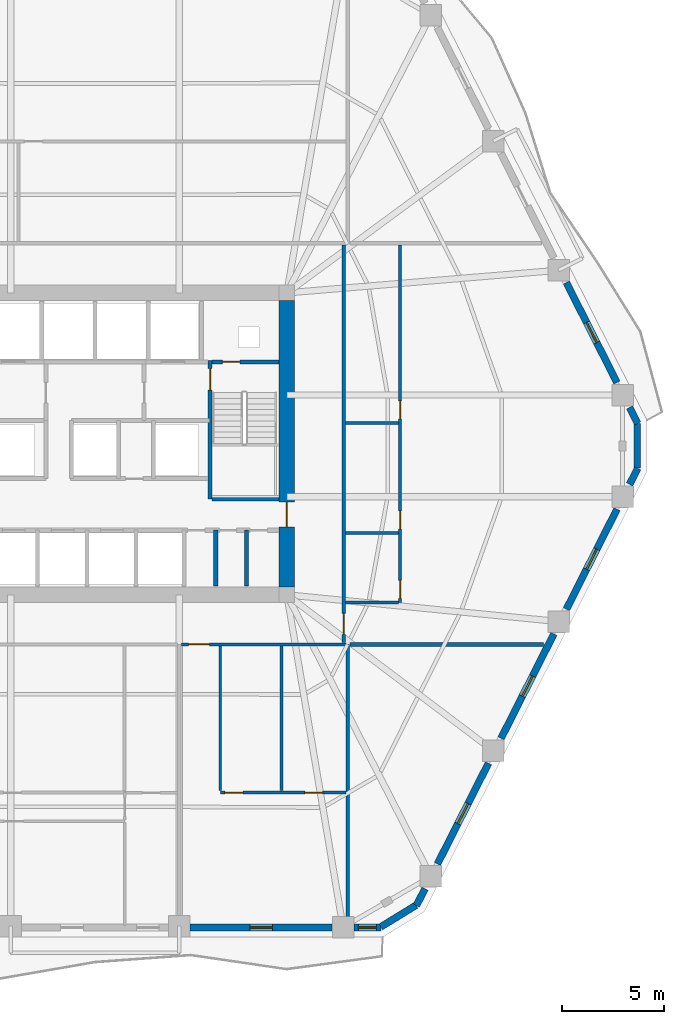
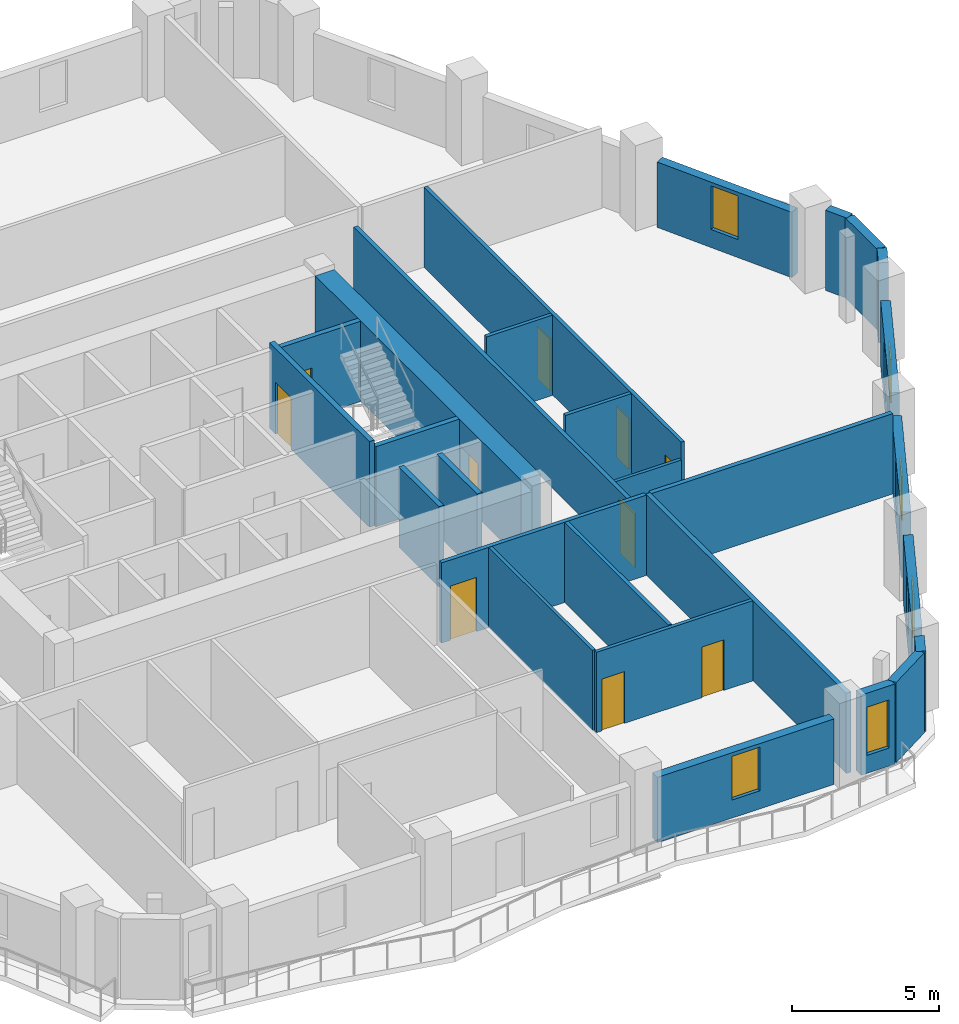
# One storey, part 6 of 11: 28 walls, 10 doors, 6 windows, 16 openings.
"""IFC4 building model written with IfcOpenShell, lengths in metres."""

from ifc_helpers import new_model, si_unit, direction, frame, frame_2d, origin, place, context, subcontext, project, spatial, rectangle, extrude, material, layer, layer_set, type_object, element, fill, save


model = new_model("IFC4")

# Units and contexts
model_context = context("Model", 3, precision=1e-05, world=origin(), true_north=direction((0.0, 1.0)))
body_context = subcontext(model_context, "Body", "Model", "MODEL_VIEW")
ifc_project = project(units=[si_unit("LENGTHUNIT", "METRE"), si_unit("AREAUNIT", "SQUARE_METRE"), si_unit("VOLUMEUNIT", "CUBIC_METRE"), si_unit("PLANEANGLEUNIT", "RADIAN"), si_unit("MASSUNIT", "GRAM", prefix="KILO")], contexts=[model_context])

# Site, building, storey
site_placement = place(None, origin())
site = spatial("IfcSite", under=ifc_project, at=site_placement, CompositionType="ELEMENT")
building_placement = place(site_placement, origin())
building = spatial("IfcBuilding", under=site, at=building_placement, Name="Cinnabar Lancet Tower", CompositionType="ELEMENT")
storey_placement = place(building_placement, frame((0.0, 0.0, 90.64990234375)))
storey = spatial("IfcBuildingStorey", under=building, at=storey_placement, Name="L23", CompositionType="ELEMENT", Elevation=90.64990234375)

# Wall, opening, door
ifc_material_1 = material(Name="Acoustic twin-stud gypsum partition", Category="gypsum")
ifc_layer_1 = layer(ifc_material_1, 0.159912109375)
ifc_layer_set_1 = layer_set([ifc_layer_1], Name="Acoustic twin-stud gypsum partition")
wall_type_1 = type_object("IfcWallType", Name="ARC-WL-CORR-160", PredefinedType="PARTITIONING", material=ifc_layer_set_1)
wall_1_placement = place(storey_placement, frame((36.616943359375, 16.10009765625, 0.0), z_axis=(0.0, 0.0, 1.0), x_axis=(1.0, 0.0, 0.0)))
wall_1 = element("IfcWall", 1, at=wall_1_placement, inside=storey, type_object=wall_type_1, Name="L23 Unit S02 Corridor Wall", PredefinedType="PARTITIONING", context=body_context, shape_type="SweptSolid", body=[
    extrude(rectangle(XDim=8.0380859375, YDim=0.159912109375, at=frame_2d((4.01904296875, 0.0))), origin(), (0.0, 0.0, 1.0), 3.330078125),
])
opening_1_placement = place(wall_1_placement, frame((0.35498046875, 0.0, 0.0)))
opening_1 = element("IfcOpeningElement", 2, at=opening_1_placement, cuts=wall_1, Name="Opening UD-01", PredefinedType="OPENING", context=body_context, shape_type="SweptSolid", body=[
    extrude(rectangle(XDim=1.02001953125, YDim=2.25, at=frame_2d((0.510009765625, 1.125))), frame((0.0, 0.08984375, 0.0), z_axis=(0.0, -1.0, 0.0), x_axis=(1.0, 0.0, 0.0)), (0.0, 0.0, 1.0), 0.179931640625),
])
ifc_material_2 = material(Name="Solid timber fire-rated apartment entrance door", Category="wood")
door_type_1 = type_object("IfcDoorType", Name="ARC-DR-UNIT", OperationType="NOTDEFINED", PredefinedType="DOOR", material=ifc_material_2)
door_1_placement = place(opening_1_placement, origin())
door_1 = element("IfcDoor", 3, at=door_1_placement, inside=storey, type_object=door_type_1, Name="DR-L23-S02-ENT", OperationType="SINGLE_SWING_RIGHT", OverallHeight=2.25, OverallWidth=1.02001953125, PredefinedType="DOOR", context=body_context, shape_type="SweptSolid", body=[
    extrude(rectangle(XDim=1.02001953125, YDim=2.25, at=frame_2d((0.510009765625, 1.125))), frame((0.0, 0.02490234375, 0.0), z_axis=(0.0, -1.0, 0.0), x_axis=(1.0, 0.0, 0.0)), (0.0, 0.0, 1.0), 0.050048828125),
])
fill(opening_1, door_1)

wall_2_placement = place(storey_placement, frame((44.550048828125, 16.195068359375, 0.0), z_axis=(0.0, 0.0, 1.0), x_axis=(0.0, 1.0, 0.0)))
wall_2 = element("IfcWall", 4, at=wall_2_placement, inside=storey, type_object=wall_type_1, Name="UW-L23-E01-COR", PredefinedType="PARTITIONING", context=body_context, shape_type="SweptSolid", body=[
    extrude(rectangle(XDim=19.409912109375, YDim=0.159912109375, at=frame_2d((9.705078125, 0.0))), origin(), (0.0, 0.0, 1.0), 2.63720703125),
])
opening_2_placement = place(wall_2_placement, frame((0.39990234375, 0.0, 0.0)))
opening_2 = element("IfcOpeningElement", 5, at=opening_2_placement, cuts=wall_2, Name="Opening UD-01", PredefinedType="OPENING", context=body_context, shape_type="SweptSolid", body=[
    extrude(rectangle(XDim=1.02001953125, YDim=2.25, at=frame_2d((0.510009765625, 1.125))), frame((0.0, 0.08984375, 0.0), z_axis=(0.0, -1.0, 0.0), x_axis=(1.0, 0.0, 0.0)), (0.0, 0.0, 1.0), 0.179931640625),
])
door_2_placement = place(opening_2_placement, origin())
door_2 = element("IfcDoor", 6, at=door_2_placement, inside=storey, type_object=door_type_1, Name="DR-L23-E01-ENT", OperationType="SINGLE_SWING_RIGHT", OverallHeight=2.25, OverallWidth=1.02001953125, PredefinedType="DOOR", context=body_context, shape_type="SweptSolid", body=[
    extrude(rectangle(XDim=1.02001953125, YDim=2.25, at=frame_2d((0.510009765625, 1.125))), frame((0.0, 0.02490234375, 0.0), z_axis=(0.0, -1.0, 0.0), x_axis=(1.0, 0.0, 0.0)), (0.0, 0.0, 1.0), 0.050048828125),
])
fill(opening_2, door_2)

# Walls
ifc_material_3 = material(Name="Fire-rated twin-frame acoustic drywall", Category="gypsum")
ifc_layer_2 = layer(ifc_material_3, 0.179931640625)
ifc_layer_set_2 = layer_set([ifc_layer_2], Name="Fire-rated twin-frame acoustic drywall")
wall_type_2 = type_object("IfcWallType", Name="ARC-WL-PARTY-180", PredefinedType="PARTITIONING", material=ifc_layer_set_2)
wall_3_placement = place(storey_placement, frame((44.75, 2.455078125, 0.0), z_axis=(0.0, 0.0, 1.0), x_axis=(0.0, 1.0, 0.0)))
element("IfcWall", 7, at=wall_3_placement, inside=storey, type_object=wall_type_2, Name="PW-L23-SPTY-448", PredefinedType="PARTITIONING", context=body_context, shape_type="SweptSolid", body=[
    extrude(rectangle(XDim=13.64501953125, YDim=0.179931640625, at=frame_2d((6.822509765625, 0.0))), origin(), (0.0, 0.0, 1.0), 3.330078125),
])
wall_4_placement = place(storey_placement, frame((44.844970703125, 16.10009765625, 0.0), z_axis=(0.0, 0.0, 1.0), x_axis=(1.0, 0.0, 0.0)))
element("IfcWall", 8, at=wall_4_placement, inside=storey, type_object=wall_type_2, Name="PW-L23-ESB", PredefinedType="PARTITIONING", context=body_context, shape_type="SweptSolid", body=[
    extrude(rectangle(XDim=9.467041015625, YDim=0.179931640625, at=frame_2d((4.7333984375, 0.0))), origin(), (0.0, 0.0, 1.0), 3.330078125),
])
ifc_material_4 = material(Name="Autoclaved aerated concrete blockwork", Category="masonry")
ifc_layer_3 = layer(ifc_material_4, 0.199951171875)
ifc_layer_set_3 = layer_set([ifc_layer_3], Name="Autoclaved aerated concrete blockwork")
wall_type_3 = type_object("IfcWallType", Name="ARC-WL-SHAFT-200", PredefinedType="PLUMBINGWALL", material=ifc_layer_set_3)
wall_5_placement = place(storey_placement, frame((38.125, 23.199951171875, 0.0), z_axis=(0.0, 0.0, 1.0), x_axis=(1.0, 0.0, 0.0)))
element("IfcWall", 9, at=wall_5_placement, inside=storey, type_object=wall_type_3, Name="CW-ST2S-L23", PredefinedType="PLUMBINGWALL", context=body_context, shape_type="SweptSolid", body=[
    extrude(rectangle(XDim=3.27001953125, YDim=0.199951171875, at=frame_2d((1.635009765625, 0.0))), origin(), (0.0, 0.0, 1.0), 3.330078125),
])

# Wall, opening, door
wall_6_placement = place(storey_placement, frame((38.125, 29.89990234375, 0.0), z_axis=(0.0, 0.0, 1.0), x_axis=(1.0, 0.0, 0.0)))
wall_6 = element("IfcWall", 10, at=wall_6_placement, inside=storey, type_object=wall_type_3, Name="CW-NSH-E-L23", PredefinedType="PLUMBINGWALL", context=body_context, shape_type="SweptSolid", body=[
    extrude(rectangle(XDim=3.27001953125, YDim=0.199951171875, at=frame_2d((1.635009765625, 0.0))), origin(), (0.0, 0.0, 1.0), 3.330078125),
])
opening_3_placement = place(wall_6_placement, frame((0.5, 0.0, 0.0)))
opening_3 = element("IfcOpeningElement", 11, at=opening_3_placement, cuts=wall_6, Name="Opening PD-02", PredefinedType="OPENING", context=body_context, shape_type="SweptSolid", body=[
    extrude(rectangle(XDim=0.85009765625, YDim=2.050048828125, at=frame_2d((0.425048828125, 1.02490234375))), frame((0.0, 0.10986328125, 0.0), z_axis=(0.0, -1.0, 0.0), x_axis=(1.0, 0.0, 0.0)), (0.0, 0.0, 1.0), 0.219970703125),
])
ifc_material_5 = material(Name="Fire-rated steel riser access door", Category="steel")
door_type_2 = type_object("IfcDoorType", Name="ARC-DR-RISER", OperationType="NOTDEFINED", PredefinedType="DOOR", material=ifc_material_5)
door_3_placement = place(opening_3_placement, origin())
door_3 = element("IfcDoor", 12, at=door_3_placement, inside=storey, type_object=door_type_2, Name="L23 East Riser Access Door", OperationType="SINGLE_SWING_RIGHT", OverallHeight=2.050048828125, OverallWidth=0.85009765625, PredefinedType="DOOR", context=body_context, shape_type="SweptSolid", body=[
    extrude(rectangle(XDim=0.85009765625, YDim=2.050048828125, at=frame_2d((0.425048828125, 1.02490234375))), frame((0.0, 0.02490234375, 0.0), z_axis=(0.0, -1.0, 0.0), x_axis=(1.0, 0.0, 0.0)), (0.0, 0.0, 1.0), 0.050048828125),
])
fill(opening_3, door_3)

# Walls
for number, where, z_axis, x_axis, name in (
    (13, (38.300048828125, 18.949951171875, 0.0), (0.0, 0.0, 1.0), (0.0, 1.0, 0.0), "CW-SBC2-383-L23"),
    (14, (39.800048828125, 18.949951171875, 0.0), (0.0, 0.0, 1.0), (0.0, 1.0, 0.0), "CW-SBC2-398-L23"),
):
    element("IfcWall", number, at=place(storey_placement, frame(where, z_axis=z_axis, x_axis=x_axis)), inside=storey, type_object=wall_type_3, Name=name, PredefinedType="PLUMBINGWALL", context=body_context, shape_type="SweptSolid", body=[
        extrude(rectangle(XDim=2.72998046875, YDim=0.199951171875, at=frame_2d((1.364990234375, 0.0))), origin(), (0.0, 0.0, 1.0), 3.330078125),
    ])
ifc_material_6 = material(Name="Gypsum plasterboard stud partition", Category="gypsum")
ifc_layer_4 = layer(ifc_material_6, 0.125)
ifc_layer_set_4 = layer_set([ifc_layer_4], Name="Gypsum plasterboard stud partition")
wall_type_4 = type_object("IfcWallType", Name="ARC-WL-UNIT-125", PredefinedType="PARTITIONING", material=ifc_layer_set_4)
wall_7_placement = place(storey_placement, frame((38.52197265625, 8.972900390625, 0.0), z_axis=(0.0, 0.0, 1.0), x_axis=(0.0, 1.0, 0.0)))
element("IfcWall", 15, at=wall_7_placement, inside=storey, type_object=wall_type_4, Name="UW-L23-S02-FOYE", PredefinedType="PARTITIONING", context=body_context, shape_type="SweptSolid", body=[
    extrude(rectangle(XDim=7.0419921875, YDim=0.125, at=frame_2d((3.52099609375, 0.0))), origin(), (0.0, 0.0, 1.0), 3.330078125),
])
wall_8_placement = place(storey_placement, frame((44.635009765625, 18.14990234375, 0.0), z_axis=(0.0, 0.0, 1.0), x_axis=(1.0, 0.0, 0.0)))
element("IfcWall", 16, at=wall_8_placement, inside=storey, type_object=wall_type_4, Name="UW-L23-E01-FOYN", PredefinedType="PARTITIONING", context=body_context, shape_type="SweptSolid", body=[
    extrude(rectangle(XDim=2.580078125, YDim=0.125, at=frame_2d((1.2900390625, 0.0))), origin(), (0.0, 0.0, 1.0), 2.63720703125),
])

# Wall, openings, doors
ifc_material_7 = material(Name="Moisture-resistant cement-board plumbing wall", Category="masonry")
ifc_layer_5 = layer(ifc_material_7, 0.139892578125)
ifc_layer_set_5 = layer_set([ifc_layer_5], Name="Moisture-resistant cement-board plumbing wall")
wall_type_5 = type_object("IfcWallType", Name="ARC-WL-WET-140", PredefinedType="PLUMBINGWALL", material=ifc_layer_set_5)
wall_9_placement = place(storey_placement, frame((38.52197265625, 8.867919921875, 0.0), z_axis=(0.0, 0.0, 1.0), x_axis=(1.0, 0.0, 0.0)))
wall_9 = element("IfcWall", 17, at=wall_9_placement, inside=storey, type_object=wall_type_5, Name="UW-L23-S02-SPL", PredefinedType="PLUMBINGWALL", context=body_context, shape_type="SweptSolid", body=[
    extrude(rectangle(XDim=6.133056640625, YDim=0.139892578125, at=frame_2d((3.06640625, 0.0))), origin(), (0.0, 0.0, 1.0), 3.330078125),
])
opening_4_placement = place(wall_9_placement, frame((4.135986328125, 0.0, 0.0)))
opening_4 = element("IfcOpeningElement", 18, at=opening_4_placement, cuts=wall_9, Name="Opening BD-01", PredefinedType="OPENING", context=body_context, shape_type="SweptSolid", body=[
    extrude(rectangle(XDim=0.860107421875, YDim=2.10009765625, at=frame_2d((0.43017578125, 1.050048828125))), frame((0.0, 0.079833984375, 0.0), z_axis=(0.0, -1.0, 0.0), x_axis=(1.0, 0.0, 0.0)), (0.0, 0.0, 1.0), 0.159912109375),
])
opening_5_placement = place(wall_9_placement, frame((0.219970703125, 0.0, 0.0)))
opening_5 = element("IfcOpeningElement", 19, at=opening_5_placement, cuts=wall_9, Name="Opening RD-02", PredefinedType="OPENING", context=body_context, shape_type="SweptSolid", body=[
    extrude(rectangle(XDim=0.8798828125, YDim=2.14990234375, at=frame_2d((0.43994140625, 1.074951171875))), frame((0.0, 0.079833984375, 0.0), z_axis=(0.0, -1.0, 0.0), x_axis=(1.0, 0.0, 0.0)), (0.0, 0.0, 1.0), 0.159912109375),
])
ifc_material_8 = material(Name="Moisture-resistant timber bathroom door", Category="wood")
door_type_3 = type_object("IfcDoorType", Name="ARC-DR-BATH", OperationType="NOTDEFINED", PredefinedType="DOOR", material=ifc_material_8)
door_4_placement = place(opening_4_placement, origin())
door_4 = element("IfcDoor", 20, at=door_4_placement, inside=storey, type_object=door_type_3, Name="DR-L23-S02-BTH", OperationType="SINGLE_SWING_RIGHT", OverallHeight=2.10009765625, OverallWidth=0.860107421875, PredefinedType="DOOR", context=body_context, shape_type="SweptSolid", body=[
    extrude(rectangle(XDim=0.860107421875, YDim=2.10009765625, at=frame_2d((0.43017578125, 1.050048828125))), frame((0.0, 0.02490234375, 0.0), z_axis=(0.0, -1.0, 0.0), x_axis=(1.0, 0.0, 0.0)), (0.0, 0.0, 1.0), 0.050048828125),
])
fill(opening_4, door_4)
ifc_material_9 = material(Name="Engineered timber study door", Category="wood")
door_type_4 = type_object("IfcDoorType", Name="ARC-DR-STUDY", OperationType="NOTDEFINED", PredefinedType="DOOR", material=ifc_material_9)
door_5_placement = place(opening_5_placement, origin())
door_5 = element("IfcDoor", 21, at=door_5_placement, inside=storey, type_object=door_type_4, Name="DR-L23-S02-KIT", OperationType="SINGLE_SWING_LEFT", OverallHeight=2.14990234375, OverallWidth=0.8798828125, PredefinedType="DOOR", context=body_context, shape_type="SweptSolid", body=[
    extrude(rectangle(XDim=0.8798828125, YDim=2.14990234375, at=frame_2d((0.43994140625, 1.074951171875))), frame((0.0, 0.02490234375, 0.0), z_axis=(0.0, -1.0, 0.0), x_axis=(1.0, 0.0, 0.0)), (0.0, 0.0, 1.0), 0.050048828125),
])
fill(opening_5, door_5)

# Wall
wall_10_placement = place(storey_placement, frame((41.510986328125, 8.972900390625, 0.0), z_axis=(0.0, 0.0, 1.0), x_axis=(0.0, 1.0, 0.0)))
element("IfcWall", 22, at=wall_10_placement, inside=storey, type_object=wall_type_5, Name="UW-L23-S02-KDV", PredefinedType="PLUMBINGWALL", context=body_context, shape_type="SweptSolid", body=[
    extrude(rectangle(XDim=7.0419921875, YDim=0.139892578125, at=frame_2d((3.52099609375, 0.0))), origin(), (0.0, 0.0, 1.0), 3.330078125),
])

# Wall, openings, doors
wall_11_placement = place(storey_placement, frame((47.300048828125, 18.14990234375, 0.0), z_axis=(0.0, 0.0, 1.0), x_axis=(0.0, 1.0, 0.0)))
wall_11 = element("IfcWall", 23, at=wall_11_placement, inside=storey, type_object=wall_type_5, Name="UW-L23-E01-SPL", PredefinedType="PLUMBINGWALL", context=body_context, shape_type="SweptSolid", body=[
    extrude(rectangle(XDim=17.455078125, YDim=0.139892578125, at=frame_2d((8.7275390625, 0.0))), origin(), (0.0, 0.0, 1.0), 3.330078125),
])
opening_6_placement = place(wall_11_placement, frame((3.60009765625, 0.0, 0.0)))
opening_6 = element("IfcOpeningElement", 24, at=opening_6_placement, cuts=wall_11, Name="Opening BD-01", PredefinedType="OPENING", context=body_context, shape_type="SweptSolid", body=[
    extrude(rectangle(XDim=0.860107421875, YDim=2.10009765625, at=frame_2d((0.43017578125, 1.050048828125))), frame((0.0, 0.079833984375, 0.0), z_axis=(0.0, -1.0, 0.0), x_axis=(1.0, 0.0, 0.0)), (0.0, 0.0, 1.0), 0.159912109375),
])
opening_7_placement = place(wall_11_placement, frame((8.969970703125, 0.0, 0.0)))
opening_7 = element("IfcOpeningElement", 25, at=opening_7_placement, cuts=wall_11, Name="Opening RD-02", PredefinedType="OPENING", context=body_context, shape_type="SweptSolid", body=[
    extrude(rectangle(XDim=0.8798828125, YDim=2.14990234375, at=frame_2d((0.43994140625, 1.074951171875))), frame((0.0, 0.079833984375, 0.0), z_axis=(0.0, -1.0, 0.0), x_axis=(1.0, 0.0, 0.0)), (0.0, 0.0, 1.0), 0.159912109375),
])
opening_8_placement = place(wall_11_placement, frame((0.199951171875, 0.0, 0.0)))
opening_8 = element("IfcOpeningElement", 26, at=opening_8_placement, cuts=wall_11, Name="Opening RD-02", PredefinedType="OPENING", context=body_context, shape_type="SweptSolid", body=[
    extrude(rectangle(XDim=0.8798828125, YDim=2.14990234375, at=frame_2d((0.43994140625, 1.074951171875))), frame((0.0, 0.079833984375, 0.0), z_axis=(0.0, -1.0, 0.0), x_axis=(1.0, 0.0, 0.0)), (0.0, 0.0, 1.0), 0.159912109375),
])
door_6_placement = place(opening_6_placement, origin())
door_6 = element("IfcDoor", 27, at=door_6_placement, inside=storey, type_object=door_type_3, Name="DR-L23-E01-BTH", OperationType="SINGLE_SWING_RIGHT", OverallHeight=2.10009765625, OverallWidth=0.860107421875, PredefinedType="DOOR", context=body_context, shape_type="SweptSolid", body=[
    extrude(rectangle(XDim=0.860107421875, YDim=2.10009765625, at=frame_2d((0.43017578125, 1.050048828125))), frame((0.0, 0.02490234375, 0.0), z_axis=(0.0, -1.0, 0.0), x_axis=(1.0, 0.0, 0.0)), (0.0, 0.0, 1.0), 0.050048828125),
])
fill(opening_6, door_6)
door_7_placement = place(opening_7_placement, origin())
door_7 = element("IfcDoor", 28, at=door_7_placement, inside=storey, type_object=door_type_4, Name="DR-L23-E01-WDR", OperationType="SINGLE_SWING_LEFT", OverallHeight=2.14990234375, OverallWidth=0.8798828125, PredefinedType="DOOR", context=body_context, shape_type="SweptSolid", body=[
    extrude(rectangle(XDim=0.8798828125, YDim=2.14990234375, at=frame_2d((0.43994140625, 1.074951171875))), frame((0.0, 0.02490234375, 0.0), z_axis=(0.0, -1.0, 0.0), x_axis=(1.0, 0.0, 0.0)), (0.0, 0.0, 1.0), 0.050048828125),
])
fill(opening_7, door_7)
door_8_placement = place(opening_8_placement, origin())
door_8 = element("IfcDoor", 29, at=door_8_placement, inside=storey, type_object=door_type_4, Name="DR-L23-E01-KIT", OperationType="SINGLE_SWING_LEFT", OverallHeight=2.14990234375, OverallWidth=0.8798828125, PredefinedType="DOOR", context=body_context, shape_type="SweptSolid", body=[
    extrude(rectangle(XDim=0.8798828125, YDim=2.14990234375, at=frame_2d((0.43994140625, 1.074951171875))), frame((0.0, 0.02490234375, 0.0), z_axis=(0.0, -1.0, 0.0), x_axis=(1.0, 0.0, 0.0)), (0.0, 0.0, 1.0), 0.050048828125),
])
fill(opening_8, door_8)

# Walls
for number, where, z_axis, x_axis, name in (
    (30, (44.635009765625, 21.550048828125, 0.0), (0.0, 0.0, 1.0), (1.0, 0.0, 0.0), "UW-L23-E01-KDV"),
    (31, (44.635009765625, 26.919921875, 0.0), (0.0, 0.0, 1.0), (1.0, 0.0, 0.0), "UW-L23-E01-BWDV"),
):
    element("IfcWall", number, at=place(storey_placement, frame(where, z_axis=z_axis, x_axis=x_axis)), inside=storey, type_object=wall_type_5, Name=name, PredefinedType="PLUMBINGWALL", context=body_context, shape_type="SweptSolid", body=[
        extrude(rectangle(XDim=2.580078125, YDim=0.139892578125, at=frame_2d((1.2900390625, 0.0))), origin(), (0.0, 0.0, 1.0), 3.330078125),
    ])
ifc_material_10 = material(Name="Cinnabar red clay brick", Category="masonry")
ifc_layer_6 = layer(ifc_material_10, 0.340087890625)
ifc_layer_set_6 = layer_set([ifc_layer_6], Name="Cinnabar red clay brick")
wall_type_6 = type_object("IfcWallType", Name="ENV-WL-BRK-RED-340", PredefinedType="STANDARD", material=ifc_layer_set_6)
wall_12_placement = place(storey_placement, frame((46.361083984375, 2.304931640625, 0.0), z_axis=(0.0, 0.0, 1.0), x_axis=(0.851816122478, 0.523840904748, 0.0)))
element("IfcWall", 32, at=wall_12_placement, inside=storey, type_object=wall_type_6, Name="L23 Chamfered Corner Brick Pier 2.1", PredefinedType="STANDARD", context=body_context, shape_type="SweptSolid", body=[
    extrude(rectangle(XDim=2.01806640625, YDim=0.340087890625, at=frame_2d((1.009033203125, 0.0))), origin(), (0.0, 0.0, 1.0), 3.330078125),
])
wall_13_placement = place(storey_placement, frame((58.887939453125, 24.714111328125, 0.0), z_axis=(0.0, 0.0, 1.0), x_axis=(0.0, 1.0, 0.0)))
element("IfcWall", 33, at=wall_13_placement, inside=storey, type_object=wall_type_6, Name="L23 Chamfered Corner Brick Pier 3.1", PredefinedType="STANDARD", context=body_context, shape_type="SweptSolid", body=[
    extrude(rectangle(XDim=2.171875, YDim=0.340087890625, at=frame_2d((1.0859375, 0.0))), origin(), (0.0, 0.0, 1.0), 3.330078125),
])

# Wall, opening, window
wall_14_placement = place(storey_placement, frame((37.051025390625, 2.280029296875, 0.0), z_axis=(0.0, 0.0, 1.0), x_axis=(1.0, 0.0, 0.0)))
wall_14 = element("IfcWall", 34, at=wall_14_placement, inside=storey, type_object=wall_type_6, Name="L23 Face 1 Masonry Bay Wall 4", PredefinedType="STANDARD", context=body_context, shape_type="SweptSolid", body=[
    extrude(rectangle(XDim=6.93701171875, YDim=0.340087890625, at=frame_2d((3.468505859375, 0.0))), origin(), (0.0, 0.0, 1.0), 2.712158203125),
])
opening_9_placement = place(wall_14_placement, frame((2.91796875, 0.0, 0.75)))
opening_9 = element("IfcOpeningElement", 35, at=opening_9_placement, cuts=wall_14, Name="Opening WN-04", PredefinedType="OPENING", context=body_context, shape_type="SweptSolid", body=[
    extrude(rectangle(XDim=1.10009765625, YDim=1.81201171875, at=frame_2d((0.550048828125, 0.906005859375))), frame((0.0, 0.179931640625, 0.0), z_axis=(0.0, -1.0, 0.0), x_axis=(1.0, 0.0, 0.0)), (0.0, 0.0, 1.0), 0.360107421875),
])
ifc_material_11 = material(Name="Thermally broken bronze-anodized aluminium tall lancet window", Category="aluminium")
window_type = type_object("IfcWindowType", Name="ENV-WN-LANCET-1100", PartitioningType="SINGLE_PANEL", PredefinedType="WINDOW", material=ifc_material_11)
window_1_placement = place(opening_9_placement, origin())
window_1 = element("IfcWindow", 36, at=window_1_placement, inside=storey, type_object=window_type, Name="L23 Face 1 Gothic Lancet Window 4", OverallHeight=1.81201171875, OverallWidth=1.10009765625, PartitioningType="SINGLE_PANEL", PredefinedType="WINDOW", context=body_context, shape_type="SweptSolid", body=[
    extrude(rectangle(XDim=1.10009765625, YDim=1.81201171875, at=frame_2d((0.550048828125, 0.906005859375))), frame((0.0, 0.030029296875, 0.0), z_axis=(0.0, -1.0, 0.0), x_axis=(1.0, 0.0, 0.0)), (0.0, 0.0, 1.0), 0.06005859375),
])
fill(opening_9, window_1)

wall_15_placement = place(storey_placement, frame((45.0458984375, 2.280029296875, 0.0), z_axis=(0.0, 0.0, 1.0), x_axis=(1.0, 0.0, 0.0)))
wall_15 = element("IfcWall", 37, at=wall_15_placement, inside=storey, type_object=wall_type_6, Name="L23 Face 1 Masonry Bay Wall 5", PredefinedType="STANDARD", context=body_context, shape_type="SweptSolid", body=[
    extrude(rectangle(XDim=1.320068359375, YDim=0.340087890625, at=frame_2d((0.66015625, 0.0))), origin(), (0.0, 0.0, 1.0), 3.330078125),
])
opening_10_placement = place(wall_15_placement, frame((0.219970703125, 0.0, 0.75)))
opening_10 = element("IfcOpeningElement", 38, at=opening_10_placement, cuts=wall_15, Name="Opening WN-04", PredefinedType="OPENING", context=body_context, shape_type="SweptSolid", body=[
    extrude(rectangle(XDim=0.8798828125, YDim=2.0, at=frame_2d((0.43994140625, 1.0))), frame((0.0, 0.179931640625, 0.0), z_axis=(0.0, -1.0, 0.0), x_axis=(1.0, 0.0, 0.0)), (0.0, 0.0, 1.0), 0.360107421875),
])
window_2_placement = place(opening_10_placement, origin())
window_2 = element("IfcWindow", 39, at=window_2_placement, inside=storey, type_object=window_type, Name="L23 Split-Bay Gothic Lancet Window 74", OverallHeight=2.0, OverallWidth=0.8798828125, PartitioningType="SINGLE_PANEL", PredefinedType="WINDOW", context=body_context, shape_type="SweptSolid", body=[
    extrude(rectangle(XDim=0.8798828125, YDim=2.0, at=frame_2d((0.43994140625, 1.0))), frame((0.0, 0.030029296875, 0.0), z_axis=(0.0, -1.0, 0.0), x_axis=(1.0, 0.0, 0.0)), (0.0, 0.0, 1.0), 0.06005859375),
])
fill(opening_10, window_2)

# Wall
wall_16_placement = place(storey_placement, frame((48.10009765625, 3.345947265625, 0.0), z_axis=(0.0, 0.0, 1.0), x_axis=(0.451981678291, 0.892027220711, 0.0)))
element("IfcWall", 40, at=wall_16_placement, inside=storey, type_object=wall_type_6, Name="L23 Face 2 Masonry Bay Wall 1", PredefinedType="STANDARD", context=body_context, shape_type="SweptSolid", body=[
    extrude(rectangle(XDim=0.92041015625, YDim=0.340087890625, at=frame_2d((0.460205078125, 0.0))), origin(), (0.0, 0.0, 1.0), 3.330078125),
])

# Wall, opening, window
wall_17_placement = place(storey_placement, frame((49.1279296875, 5.37890625, 0.0), z_axis=(0.0, 0.0, 1.0), x_axis=(0.451719795315, 0.892159866011, 0.0)))
wall_17 = element("IfcWall", 41, at=wall_17_placement, inside=storey, type_object=wall_type_6, Name="L23 Face 2 Masonry Bay Wall 2", PredefinedType="STANDARD", context=body_context, shape_type="SweptSolid", body=[
    extrude(rectangle(XDim=5.519287109375, YDim=0.340087890625, at=frame_2d((2.759765625, 0.0))), origin(), (0.0, 0.0, 1.0), 2.712158203125),
])
opening_11_placement = place(wall_17_placement, frame((2.2099609375, 0.0, 0.75)))
opening_11 = element("IfcOpeningElement", 42, at=opening_11_placement, cuts=wall_17, Name="Opening WN-04", PredefinedType="OPENING", context=body_context, shape_type="SweptSolid", body=[
    extrude(rectangle(XDim=1.10009765625, YDim=1.81201171875, at=frame_2d((0.550048828125, 0.906005859375))), frame((0.0, 0.179931640625, 0.0), z_axis=(0.0, -1.0, 0.0), x_axis=(1.0, 0.0, 0.0)), (0.0, 0.0, 1.0), 0.360107421875),
])
window_3_placement = place(opening_11_placement, origin())
window_3 = element("IfcWindow", 43, at=window_3_placement, inside=storey, type_object=window_type, Name="L23 Face 2 Gothic Lancet Window 2", OverallHeight=1.81201171875, OverallWidth=1.10009765625, PartitioningType="SINGLE_PANEL", PredefinedType="WINDOW", context=body_context, shape_type="SweptSolid", body=[
    extrude(rectangle(XDim=1.10009765625, YDim=1.81201171875, at=frame_2d((0.550048828125, 0.906005859375))), frame((0.0, 0.030029296875, 0.0), z_axis=(0.0, -1.0, 0.0), x_axis=(1.0, 0.0, 0.0)), (0.0, 0.0, 1.0), 0.06005859375),
])
fill(opening_11, window_3)

wall_18_placement = place(storey_placement, frame((52.23291015625, 11.514892578125, 0.0), z_axis=(0.0, 0.0, 1.0), x_axis=(0.451616680182, 0.892212067942, 0.0)))
wall_18 = element("IfcWall", 44, at=wall_18_placement, inside=storey, type_object=wall_type_6, Name="L23 Face 2 Masonry Bay Wall 3", PredefinedType="STANDARD", context=body_context, shape_type="SweptSolid", body=[
    extrude(rectangle(XDim=5.715087890625, YDim=0.340087890625, at=frame_2d((2.857421875, 0.0))), origin(), (0.0, 0.0, 1.0), 2.712158203125),
])
opening_12_placement = place(wall_18_placement, frame((2.30810546875, 0.0, 0.75)))
opening_12 = element("IfcOpeningElement", 45, at=opening_12_placement, cuts=wall_18, Name="Opening WN-04", PredefinedType="OPENING", context=body_context, shape_type="SweptSolid", body=[
    extrude(rectangle(XDim=1.10009765625, YDim=1.81201171875, at=frame_2d((0.550048828125, 0.906005859375))), frame((0.0, 0.179931640625, 0.0), z_axis=(0.0, -1.0, 0.0), x_axis=(1.0, 0.0, 0.0)), (0.0, 0.0, 1.0), 0.360107421875),
])
window_4_placement = place(opening_12_placement, origin())
window_4 = element("IfcWindow", 46, at=window_4_placement, inside=storey, type_object=window_type, Name="L23 Face 2 Gothic Lancet Window 3", OverallHeight=1.81201171875, OverallWidth=1.10009765625, PartitioningType="SINGLE_PANEL", PredefinedType="WINDOW", context=body_context, shape_type="SweptSolid", body=[
    extrude(rectangle(XDim=1.10009765625, YDim=1.81201171875, at=frame_2d((0.550048828125, 0.906005859375))), frame((0.0, 0.030029296875, 0.0), z_axis=(0.0, -1.0, 0.0), x_axis=(1.0, 0.0, 0.0)), (0.0, 0.0, 1.0), 0.06005859375),
])
fill(opening_12, window_4)

wall_19_placement = place(storey_placement, frame((55.426025390625, 17.823974609375, 0.0), z_axis=(0.0, 0.0, 1.0), x_axis=(0.451579095309, 0.892231091523, 0.0)))
wall_19 = element("IfcWall", 47, at=wall_19_placement, inside=storey, type_object=wall_type_6, Name="L23 Face 2 Masonry Bay Wall 4", PredefinedType="STANDARD", context=body_context, shape_type="SweptSolid", body=[
    extrude(rectangle(XDim=5.473876953125, YDim=0.340087890625, at=frame_2d((2.73681640625, 0.0))), origin(), (0.0, 0.0, 1.0), 2.712158203125),
])
opening_13_placement = place(wall_19_placement, frame((2.18701171875, 0.0, 0.75)))
opening_13 = element("IfcOpeningElement", 48, at=opening_13_placement, cuts=wall_19, Name="Opening WN-04", PredefinedType="OPENING", context=body_context, shape_type="SweptSolid", body=[
    extrude(rectangle(XDim=1.10009765625, YDim=1.81201171875, at=frame_2d((0.550048828125, 0.906005859375))), frame((0.0, 0.179931640625, 0.0), z_axis=(0.0, -1.0, 0.0), x_axis=(1.0, 0.0, 0.0)), (0.0, 0.0, 1.0), 0.360107421875),
])
window_5_placement = place(opening_13_placement, origin())
window_5 = element("IfcWindow", 49, at=window_5_placement, inside=storey, type_object=window_type, Name="L23 Face 2 Gothic Lancet Window 4", OverallHeight=1.81201171875, OverallWidth=1.10009765625, PartitioningType="SINGLE_PANEL", PredefinedType="WINDOW", context=body_context, shape_type="SweptSolid", body=[
    extrude(rectangle(XDim=1.10009765625, YDim=1.81201171875, at=frame_2d((0.550048828125, 0.906005859375))), frame((0.0, 0.030029296875, 0.0), z_axis=(0.0, -1.0, 0.0), x_axis=(1.0, 0.0, 0.0)), (0.0, 0.0, 1.0), 0.06005859375),
])
fill(opening_13, window_5)

# Walls
wall_20_placement = place(storey_placement, frame((58.510986328125, 23.919921875, 0.0), z_axis=(0.0, 0.0, 1.0), x_axis=(0.451195173259, 0.892425299747, 0.0)))
element("IfcWall", 50, at=wall_20_placement, inside=storey, type_object=wall_type_6, Name="L23 Face 2 Masonry Bay Wall 5", PredefinedType="STANDARD", context=body_context, shape_type="SweptSolid", body=[
    extrude(rectangle(XDim=0.882080078125, YDim=0.340087890625, at=frame_2d((0.44091796875, 0.0))), origin(), (0.0, 0.0, 1.0), 3.330078125),
])
wall_21_placement = place(storey_placement, frame((58.908935546875, 26.89306640625, 0.0), z_axis=(0.0, 0.0, 1.0), x_axis=(-0.451306655769, 0.892368927327, 0.0)))
element("IfcWall", 51, at=wall_21_placement, inside=storey, type_object=wall_type_6, Name="L23 Face 3 Masonry Bay Wall 1", PredefinedType="STANDARD", context=body_context, shape_type="SweptSolid", body=[
    extrude(rectangle(XDim=0.8818359375, YDim=0.340087890625, at=frame_2d((0.44091796875, 0.0))), origin(), (0.0, 0.0, 1.0), 3.330078125),
])

# Wall, opening, window
wall_22_placement = place(storey_placement, frame((57.89794921875, 28.89208984375, 0.0), z_axis=(0.0, 0.0, 1.0), x_axis=(-0.451597066012, 0.892221995901, 0.0)))
wall_22 = element("IfcWall", 52, at=wall_22_placement, inside=storey, type_object=wall_type_6, Name="L23 Face 3 Masonry Bay Wall 2", PredefinedType="STANDARD", context=body_context, shape_type="SweptSolid", body=[
    extrude(rectangle(XDim=5.4736328125, YDim=0.340087890625, at=frame_2d((2.73681640625, 0.0))), origin(), (0.0, 0.0, 1.0), 2.712158203125),
])
opening_14_placement = place(wall_22_placement, frame((2.18701171875, 0.0, 0.75)))
opening_14 = element("IfcOpeningElement", 53, at=opening_14_placement, cuts=wall_22, Name="Opening WN-04", PredefinedType="OPENING", context=body_context, shape_type="SweptSolid", body=[
    extrude(rectangle(XDim=1.10009765625, YDim=1.81201171875, at=frame_2d((0.550048828125, 0.906005859375))), frame((0.0, 0.179931640625, 0.0), z_axis=(0.0, -1.0, 0.0), x_axis=(1.0, 0.0, 0.0)), (0.0, 0.0, 1.0), 0.360107421875),
])
window_6_placement = place(opening_14_placement, origin())
window_6 = element("IfcWindow", 54, at=window_6_placement, inside=storey, type_object=window_type, Name="L23 Face 3 Gothic Lancet Window 2", OverallHeight=1.81201171875, OverallWidth=1.10009765625, PartitioningType="SINGLE_PANEL", PredefinedType="WINDOW", context=body_context, shape_type="SweptSolid", body=[
    extrude(rectangle(XDim=1.10009765625, YDim=1.81201171875, at=frame_2d((0.550048828125, 0.906005859375))), frame((0.0, 0.030029296875, 0.0), z_axis=(0.0, -1.0, 0.0), x_axis=(1.0, 0.0, 0.0)), (0.0, 0.0, 1.0), 0.06005859375),
])
fill(opening_14, window_6)

# Wall, opening, door
ifc_material_12 = material(Name="Concrete C70/85", Category="concrete")
ifc_layer_7 = layer(ifc_material_12, 0.75)
ifc_layer_set_7 = layer_set([ifc_layer_7], Name="Concrete C70/85")
wall_type_7 = type_object("IfcWallType", Name="STR-WL-CORE-750", PredefinedType="SHEAR", material=ifc_layer_set_7)
wall_23_placement = place(storey_placement, frame((41.77490234375, 18.89990234375, 0.0), z_axis=(0.0, 0.0, 1.0), x_axis=(0.0, 1.0, 0.0)))
wall_23 = element("IfcWall", 55, at=wall_23_placement, inside=storey, type_object=wall_type_7, Name="L23 Core Shear Wall E", PredefinedType="SHEAR", context=body_context, shape_type="SweptSolid", body=[
    extrude(rectangle(XDim=14.0, YDim=0.75, at=frame_2d((7.0, 0.0))), origin(), (0.0, 0.0, 1.0), 3.330078125),
])
opening_15_placement = place(wall_23_placement, frame((2.93994140625, 0.0, 0.0)))
opening_15 = element("IfcOpeningElement", 56, at=opening_15_placement, cuts=wall_23, Name="Opening FD-02", PredefinedType="OPENING", context=body_context, shape_type="SweptSolid", body=[
    extrude(rectangle(XDim=1.219970703125, YDim=2.25, at=frame_2d((0.60986328125, 1.125))), frame((0.0, 0.385009765625, 0.0), z_axis=(0.0, -1.0, 0.0), x_axis=(1.0, 0.0, 0.0)), (0.0, 0.0, 1.0), 0.77001953125),
])
ifc_material_13 = material(Name="Fire-rated double-vision core portal door", Category="wood")
door_type_5 = type_object("IfcDoorType", Name="ARC-DR-CPORT", OperationType="NOTDEFINED", PredefinedType="DOOR", material=ifc_material_13)
door_9_placement = place(opening_15_placement, origin())
door_9 = element("IfcDoor", 57, at=door_9_placement, inside=storey, type_object=door_type_5, Name="L23 East Core Lobby Fire Door", OperationType="SINGLE_SWING_LEFT", OverallHeight=2.25, OverallWidth=1.219970703125, PredefinedType="DOOR", context=body_context, shape_type="SweptSolid", body=[
    extrude(rectangle(XDim=1.219970703125, YDim=2.25, at=frame_2d((0.60986328125, 1.125))), frame((0.0, 0.02490234375, 0.0), z_axis=(0.0, -1.0, 0.0), x_axis=(1.0, 0.0, 0.0)), (0.0, 0.0, 1.0), 0.050048828125),
])
fill(opening_15, door_9)

ifc_material_14 = material(Name="Concrete C50/60", Category="concrete")
ifc_layer_8 = layer(ifc_material_14, 0.199951171875)
ifc_layer_set_8 = layer_set([ifc_layer_8], Name="Concrete C50/60")
wall_type_8 = type_object("IfcWallType", Name="STR-WL-STAIR-200", PredefinedType="SHEAR", material=ifc_layer_set_8)
wall_24_placement = place(storey_placement, frame((38.02001953125, 23.199951171875, 0.0), z_axis=(0.0, 0.0, 1.0), x_axis=(0.0, 1.0, 0.0)))
wall_24 = element("IfcWall", 58, at=wall_24_placement, inside=storey, type_object=wall_type_8, Name="L23 Stair ST-2 Structural Enclosure Wall", PredefinedType="SHEAR", context=body_context, shape_type="SweptSolid", body=[
    extrude(rectangle(XDim=6.780029296875, YDim=0.199951171875, at=frame_2d((3.39013671875, 0.0))), origin(), (0.0, 0.0, 1.0), 3.550048828125),
])
opening_16_placement = place(wall_24_placement, frame((5.320068359375, 0.0, 0.0)))
opening_16 = element("IfcOpeningElement", 59, at=opening_16_placement, cuts=wall_24, Name="Opening SD-01", PredefinedType="OPENING", context=body_context, shape_type="SweptSolid", body=[
    extrude(rectangle(XDim=1.050048828125, YDim=2.14990234375, at=frame_2d((0.52490234375, 1.074951171875))), frame((0.0, 0.10986328125, 0.0), z_axis=(0.0, -1.0, 0.0), x_axis=(1.0, 0.0, 0.0)), (0.0, 0.0, 1.0), 0.219970703125),
])
ifc_material_15 = material(Name="Fire-rated steel stair exit door", Category="steel")
door_type_6 = type_object("IfcDoorType", Name="ARC-DR-STAIR", OperationType="NOTDEFINED", PredefinedType="DOOR", material=ifc_material_15)
door_10_placement = place(opening_16_placement, origin())
door_10 = element("IfcDoor", 60, at=door_10_placement, inside=storey, type_object=door_type_6, Name="L23 Stair ST-2 Fire Door", OperationType="SINGLE_SWING_RIGHT", OverallHeight=2.14990234375, OverallWidth=1.050048828125, PredefinedType="DOOR", context=body_context, shape_type="SweptSolid", body=[
    extrude(rectangle(XDim=1.050048828125, YDim=2.14990234375, at=frame_2d((0.52490234375, 1.074951171875))), frame((0.0, 0.02490234375, 0.0), z_axis=(0.0, -1.0, 0.0), x_axis=(1.0, 0.0, 0.0)), (0.0, 0.0, 1.0), 0.050048828125),
])
fill(opening_16, door_10)

save(model, "model.ifc")
